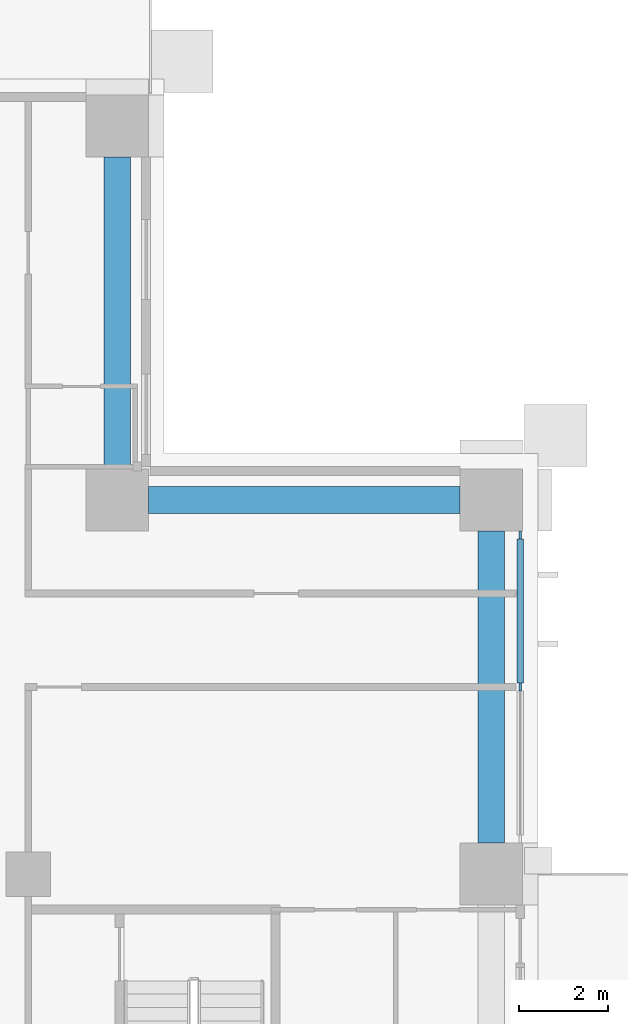
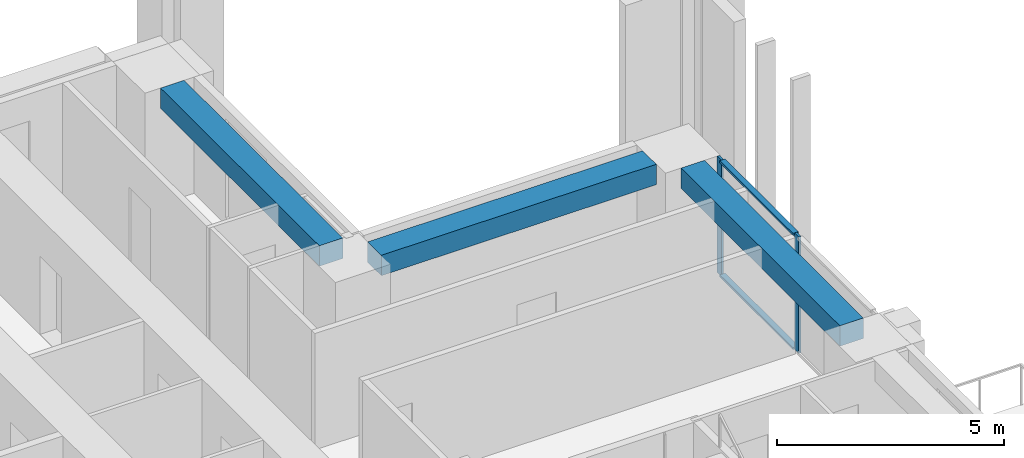
# One storey, part 6 of 19: 4 members, 3 beams, 1 element without a shape of its own.
"""IFC4 building model written with IfcOpenShell, lengths in metres."""

import ifcopenshell
import ifcopenshell.guid

model = None  # the IFC model being written
_history = None  # IfcOwnerHistory: only IFC2X3 demands one
_inside = {}  # id of a spatial element -> (the spatial element, [elements in it])
_under = {}  # id of a project, library or spatial element -> (it, [spatial elements below it])
_declared = {}  # id of a project -> (the project, [libraries it declares])
_typed = {}  # id of a type object -> (the type object, [elements of that type])
_made_of = {}  # id of a material, layer set ... -> (it, [elements and type objects made of it])


def new_model(schema):
    """Start an empty IFC model of exactly this schema.

    Asked for "IFC4X3", IfcOpenShell would pick the latest addendum, in which some entities
    have other attributes; the version numbers below select the first issue.
    IFC2X3 requires an IfcOwnerHistory on every rooted entity: one is made here for all.
    """
    global model, _history
    if schema == "IFC4X3":
        model = ifcopenshell.file(schema_version=(4, 3, 0, 0))
    else:
        model = ifcopenshell.file(schema=schema)
    _inside.clear()
    _under.clear()
    _declared.clear()
    _typed.clear()
    _made_of.clear()
    _history = None
    if model.schema == "IFC2X3":
        org = make("IfcOrganization", Name="unknown")
        user = make(
            "IfcPersonAndOrganization",
            ThePerson=make("IfcPerson", FamilyName="unknown"),
            TheOrganization=org,
        )
        app = make(
            "IfcApplication",
            ApplicationDeveloper=org,
            Version="unknown",
            ApplicationFullName="unknown",
            ApplicationIdentifier="unknown",
        )
        _history = make(
            "IfcOwnerHistory",
            OwningUser=user,
            OwningApplication=app,
            ChangeAction="ADDED",
            CreationDate=0,
        )
    return model


def make(cls, **values):
    """One entity of the class cls with the attributes given. An attribute that is None is left unset."""
    return model.create_entity(
        cls, **{name: value for name, value in values.items() if value is not None}
    )


def rooted(cls, **values):
    """An entity with a GlobalId (a new one), such as an element, a storey or a relation."""
    return make(cls, GlobalId=ifcopenshell.guid.new(), OwnerHistory=_history, **values)


def si_unit(unit_type, name, prefix=None):
    """IfcSIUnit, for example si_unit("LENGTHUNIT", "METRE", prefix="MILLI")."""
    return make("IfcSIUnit", UnitType=unit_type, Prefix=prefix, Name=name)


def assignment(units):
    """IfcUnitAssignment: the units of a project."""
    return None if units is None else make("IfcUnitAssignment", Units=units)


def point(xyz):
    """IfcCartesianPoint."""
    return None if xyz is None else make("IfcCartesianPoint", Coordinates=xyz)


def direction(xyz):
    """IfcDirection."""
    return None if xyz is None else make("IfcDirection", DirectionRatios=xyz)


def frame(location, z_axis=None, x_axis=None):
    """IfcAxis2Placement3D, a coordinate frame: its origin and axes. An axis left out is left unset."""
    return make(
        "IfcAxis2Placement3D",
        Location=point(location),
        Axis=direction(z_axis),
        RefDirection=direction(x_axis),
    )


def frame_2d(location, x_axis=None):
    """IfcAxis2Placement2D, a coordinate frame in the plane: its origin and x axis."""
    return make(
        "IfcAxis2Placement2D", Location=point(location), RefDirection=direction(x_axis)
    )


def origin():
    """The frame at (0, 0, 0) with its axes left unset."""
    return frame((0.0, 0.0, 0.0))


def origin_2d():
    """The frame at (0, 0) in the plane with its x axis left unset."""
    return frame_2d((0.0, 0.0))


def place(relative_to, where):
    """IfcLocalPlacement: puts the frame where relative to a parent placement (None: the world)."""
    return make(
        "IfcLocalPlacement", PlacementRelTo=relative_to, RelativePlacement=where
    )


def context(
    kind, dimensions, precision=None, world=None, true_north=None, identifier=None
):
    """IfcGeometricRepresentationContext, for example the 3D "Model" context."""
    return make(
        "IfcGeometricRepresentationContext",
        ContextIdentifier=identifier,
        ContextType=kind,
        CoordinateSpaceDimension=dimensions,
        Precision=precision,
        WorldCoordinateSystem=world,
        TrueNorth=true_north,
    )


def subcontext(parent, identifier, kind, view, scale=None):
    """IfcGeometricRepresentationSubContext, for example "Body" below "Model"."""
    return make(
        "IfcGeometricRepresentationSubContext",
        ContextIdentifier=identifier,
        ContextType=kind,
        ParentContext=parent,
        TargetScale=scale,
        TargetView=view,
    )


def project(units=None, contexts=None):
    """IfcProject with its units and contexts."""
    return rooted(
        "IfcProject",
        Name="project",
        RepresentationContexts=contexts,
        UnitsInContext=assignment(units),
    )


def spatial(cls, under=None, at=None, **own):
    """A site, building, storey or space (cls), placed at a placement, below another one or the project."""
    s = rooted(cls, ObjectPlacement=at, **own)
    if under is not None:
        _under.setdefault(under.id(), (under, []))[1].append(s)
    return s


def profile(cls, at=None, kind="AREA", **sizes):
    """A parametric profile (cls). Its sizes go by their IFC names, for example OverallWidth=200.0."""
    return make(cls, ProfileType=kind, Position=at, **sizes)


def rectangle(**sizes):
    """IfcRectangleProfileDef."""
    return profile("IfcRectangleProfileDef", **sizes)


def extrude(swept, where, along, depth):
    """IfcExtrudedAreaSolid: the profile swept, set in the frame where, extruded along a direction by depth."""
    return make(
        "IfcExtrudedAreaSolid",
        SweptArea=swept,
        Position=where,
        ExtrudedDirection=direction(along),
        Depth=depth,
    )


def shape(context_of_items, identifier, shape_type, items):
    """IfcShapeRepresentation: the items that make up one representation, for example the "Body"."""
    return make(
        "IfcShapeRepresentation",
        ContextOfItems=context_of_items,
        RepresentationIdentifier=identifier,
        RepresentationType=shape_type,
        Items=items,
    )


def material(Name=None, Category=None):
    """IfcMaterial."""
    return make("IfcMaterial", Name=Name, Category=Category)


def material_profile(
    of_material, cross_section, Name=None, Category=None, Priority=None
):
    """IfcMaterialProfile: a cross section and its material."""
    return make(
        "IfcMaterialProfile",
        Name=Name,
        Material=of_material,
        Profile=cross_section,
        Priority=Priority,
        Category=Category,
    )


def profile_set(profiles, Name=None, composite=None):
    """IfcMaterialProfileSet."""
    return make(
        "IfcMaterialProfileSet",
        Name=Name,
        MaterialProfiles=profiles,
        CompositeProfile=composite,
    )


def made_of(thing, what):
    """Note that an element or type object is made of a material, layer set ...; save() writes the relation."""
    if what is not None:
        _made_of.setdefault(what.id(), (what, []))[1].append(thing)
    return thing


def type_object(cls, material=None, **own):
    """A type object (cls), such as IfcWallType, which elements share."""
    return made_of(rooted(cls, **own), material)


def element(
    cls,
    number,
    at=None,
    inside=None,
    cuts=None,
    type_object=None,
    material=None,
    context=None,
    identifier="Body",
    shape_type=None,
    held_by="IfcProductDefinitionShape",
    body=None,
    shapes=None,
    **own,
):
    """One element of the class cls, such as IfcWall. Its Tag is "e" and its number.

    at: its placement. inside: the storey or other place that contains it. cuts: it is an
    opening in that element (IfcRelVoidsElement). A single representation is given by context,
    identifier, shape_type and body (its items); several are given by shapes. held_by: the class
    of the entity that holds the representations. save() writes the other relations.
    """
    e = rooted(cls, Tag="e%d" % number, ObjectPlacement=at, **own)
    if body is not None:
        shapes = [shape(context, identifier, shape_type, body)]
    if shapes is not None:
        e.Representation = make(held_by, Representations=shapes)
    if inside is not None:
        _inside.setdefault(inside.id(), (inside, []))[1].append(e)
    if cuts is not None:
        rooted(
            "IfcRelVoidsElement", RelatingBuildingElement=cuts, RelatedOpeningElement=e
        )
    if type_object is not None:
        _typed.setdefault(type_object.id(), (type_object, []))[1].append(e)
    return made_of(e, material)


def aggregate(whole, parts):
    """IfcRelAggregates: a whole, such as a stair, and the parts it consists of."""
    return rooted("IfcRelAggregates", RelatingObject=whole, RelatedObjects=parts)


def save(model, path):
    """Write the relations noted so far, then the file.

    IfcRelAggregates (storeys below a building ...), IfcRelContainedInSpatialStructure (elements
    in a storey), IfcRelDefinesByType, IfcRelAssociatesMaterial and IfcRelDeclares: one each for
    every whole, place, type object, material and project.
    """
    for whole, parts in _under.values():
        aggregate(whole, parts)
    for where, things in _inside.values():
        rooted(
            "IfcRelContainedInSpatialStructure",
            RelatedElements=things,
            RelatingStructure=where,
        )
    for kind, things in _typed.values():
        rooted("IfcRelDefinesByType", RelatedObjects=things, RelatingType=kind)
    for what, things in _made_of.values():
        rooted("IfcRelAssociatesMaterial", RelatedObjects=things, RelatingMaterial=what)
    for by, libraries in _declared.values():
        rooted("IfcRelDeclares", RelatingContext=by, RelatedDefinitions=libraries)
    model.write(path)


model = new_model("IFC4")

# Units and contexts
model_context = context("Model", 3, precision=1e-05, world=origin(), true_north=direction((0.0, 1.0)))
body_context = subcontext(model_context, "Body", "Model", "MODEL_VIEW")
ifc_project = project(units=[si_unit("LENGTHUNIT", "METRE"), si_unit("AREAUNIT", "SQUARE_METRE"), si_unit("VOLUMEUNIT", "CUBIC_METRE"), si_unit("PLANEANGLEUNIT", "RADIAN"), si_unit("MASSUNIT", "GRAM", prefix="KILO")], contexts=[model_context])

# Site, building, storey
site_placement = place(None, origin())
site = spatial("IfcSite", under=ifc_project, at=site_placement, CompositionType="ELEMENT")
building_placement = place(site_placement, origin())
building = spatial("IfcBuilding", under=site, at=building_placement, Name="Vermilion Ogive Tower", CompositionType="ELEMENT")
storey_placement = place(building_placement, frame((0.0, 0.0, 48.300048828125)))
storey = spatial("IfcBuildingStorey", under=building, at=storey_placement, Name="L10", CompositionType="ELEMENT", Elevation=48.300048828125)

# Curtain wall, members
ifc_material_1 = material(Name="Low-iron laminated glazing in aluminium frame", Category="aluminium")
curtain_wall_type = type_object("IfcCurtainWallType", Name="Curtain wall CW7", PredefinedType="NOTDEFINED", material=ifc_material_1)
curtain_wall_placement = place(storey_placement, origin())
curtain_wall = element("IfcCurtainWall", 1, at=curtain_wall_placement, inside=storey, type_object=curtain_wall_type, Name="Glazed skin E3", PredefinedType="NOTDEFINED")
ifc_material_2 = material(Name="Aluminium mullion", Category="aluminium")
ifc_material_profile_1 = material_profile(ifc_material_2, rectangle(XDim=0.06005859375, YDim=0.179931640625, at=origin_2d()), Name="AL 60x180")
ifc_profile_set_1 = profile_set([ifc_material_profile_1], Name="Aluminium mullion")
member_type_1 = type_object("IfcMemberType", Name="CW7 mullion 60x180", PredefinedType="MULLION", material=ifc_profile_set_1)
member_1_placement = place(storey_placement, frame((25.85009765625, 8.39990234375, 0.0), z_axis=(0.0, 0.0, 1.0), x_axis=(-1.0, 0.0, 0.0)))
member_1 = element("IfcMember", 2, at=member_1_placement, type_object=member_type_1, Name="CW7-E3 mullion 2", PredefinedType="MULLION", context=body_context, shape_type="SweptSolid", body=[
    extrude(rectangle(XDim=0.06005859375, YDim=0.179931640625, at=origin_2d()), origin(), (0.0, 0.0, 1.0), 3.1298828125),
])
member_2_placement = place(storey_placement, frame((25.85009765625, 11.81005859375, 0.0), z_axis=(0.0, 0.0, 1.0), x_axis=(-1.0, 0.0, 0.0)))
member_2 = element("IfcMember", 3, at=member_2_placement, type_object=member_type_1, Name="CW7-E3 mullion 3", PredefinedType="MULLION", context=body_context, shape_type="SweptSolid", body=[
    extrude(rectangle(XDim=0.06005859375, YDim=0.179931640625, at=origin_2d()), origin(), (0.0, 0.0, 1.0), 3.1298828125),
])
ifc_material_3 = material(Name="Aluminium transom", Category="aluminium")
ifc_material_profile_2 = material_profile(ifc_material_3, rectangle(XDim=0.139892578125, YDim=0.06005859375, at=origin_2d()), Name="AL 60x140")
ifc_profile_set_2 = profile_set([ifc_material_profile_2], Name="Aluminium transom")
member_type_2 = type_object("IfcMemberType", Name="CW7 transom 60x140", PredefinedType="USERDEFINED", material=ifc_profile_set_2)
member_3_placement = place(storey_placement, frame((25.85009765625, 8.489990234375, 0.030029296875), z_axis=(0.0, 1.0, 0.0), x_axis=(-1.0, 0.0, 0.0)))
member_3 = element("IfcMember", 4, at=member_3_placement, type_object=member_type_2, Name="CW7-E3 transom 2.1", ObjectType="TRANSOM", PredefinedType="USERDEFINED", context=body_context, shape_type="SweptSolid", body=[
    extrude(rectangle(XDim=0.139892578125, YDim=0.06005859375, at=origin_2d()), origin(), (0.0, 0.0, 1.0), 3.22998046875),
])
member_4_placement = place(storey_placement, frame((25.85009765625, 8.489990234375, 3.099853515625), z_axis=(0.0, 1.0, 0.0), x_axis=(-1.0, 0.0, 0.0)))
member_4 = element("IfcMember", 5, at=member_4_placement, type_object=member_type_2, Name="CW7-E3 transom 2.2", ObjectType="TRANSOM", PredefinedType="USERDEFINED", context=body_context, shape_type="SweptSolid", body=[
    extrude(rectangle(XDim=0.139892578125, YDim=0.06005859375, at=origin_2d()), origin(), (0.0, 0.0, 1.0), 3.22998046875),
])
aggregate(curtain_wall, [member_1, member_2, member_3, member_4])

# Beams
ifc_material_4 = material(Name="Concrete B45", Category="concrete")
ifc_material_profile_3 = material_profile(ifc_material_4, rectangle(XDim=0.60009765625, YDim=0.550048828125, at=origin_2d()), Name="600 x 550")
ifc_profile_set_3 = profile_set([ifc_material_profile_3], Name="Concrete B45")
beam_type = type_object("IfcBeamType", Name="Edge beam 600 x 550 B45", PredefinedType="BEAM", material=ifc_profile_set_3)
for number, where, z_axis, x_axis, name in (
    (6, (25.199951171875, 4.89990234375, 2.85498046875), (0.0, 1.0, 0.0), (-1.0, 0.0, 0.0), "L10-EB-9"),
    (7, (24.5, 12.60009765625, 2.85498046875), (-1.0, 0.0, 0.0), (0.0, -1.0, 0.0), "L10-EB-10"),
    (8, (16.800048828125, 13.300048828125, 2.85498046875), (0.0, 1.0, 0.0), (-1.0, 0.0, 0.0), "L10-EB-11"),
):
    element("IfcBeam", number, at=place(storey_placement, frame(where, z_axis=z_axis, x_axis=x_axis)), inside=storey, type_object=beam_type, Name=name, PredefinedType="BEAM", context=body_context, shape_type="SweptSolid", body=[
        extrude(rectangle(XDim=0.60009765625, YDim=0.550048828125, at=origin_2d()), origin(), (0.0, 0.0, 1.0), 7.0),
    ])

save(model, "model.ifc")
